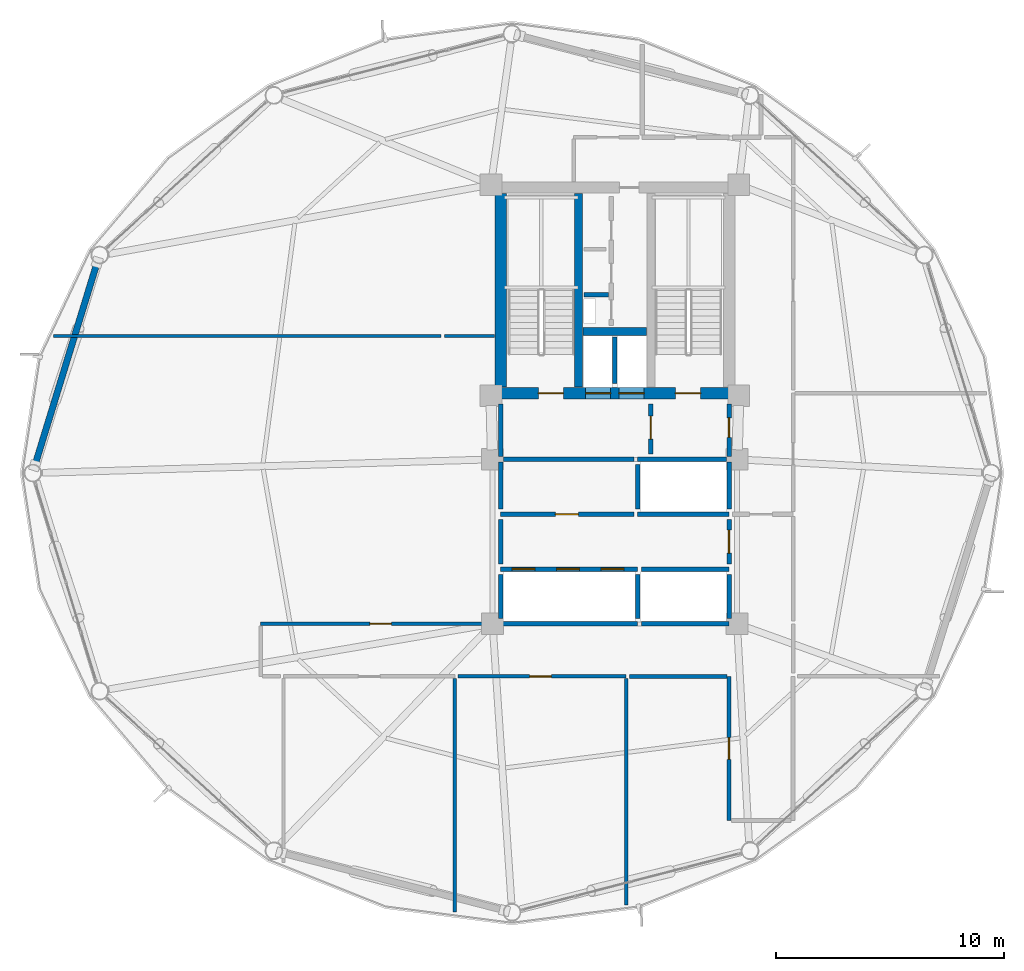
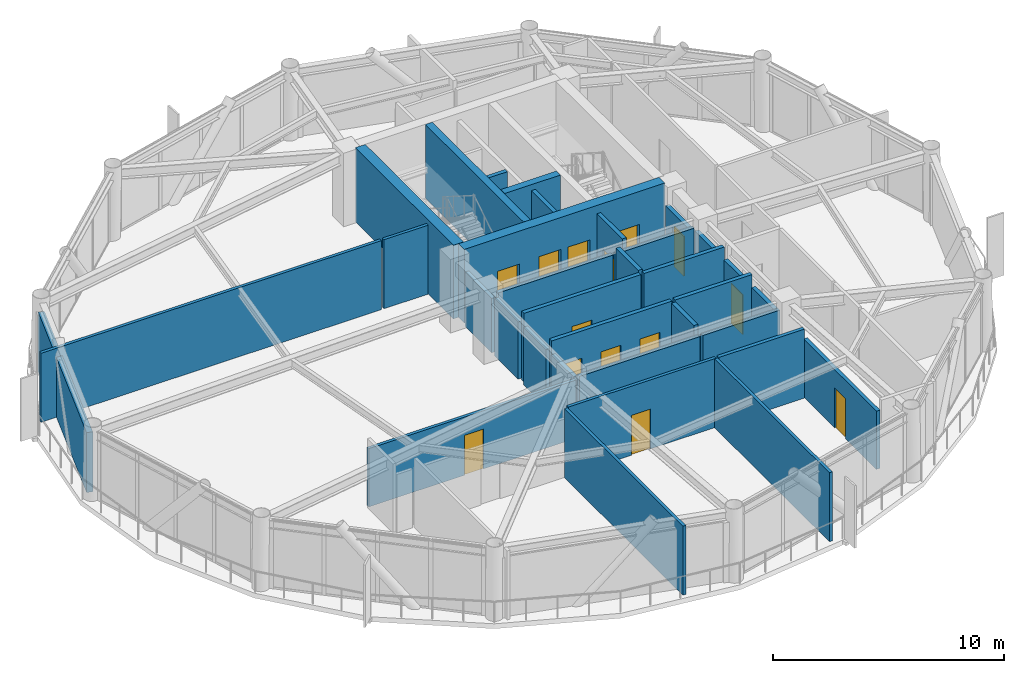
# One storey, part 21 of 26: 34 walls, 14 doors, 14 openings.
"""IFC4 building model written with IfcOpenShell, lengths in metres."""

from ifc_helpers import new_model, si_unit, direction, frame, frame_2d, origin, place, context, subcontext, project, spatial, rectangle, extrude, material, layer, layer_set, type_object, element, fill, save


model = new_model("IFC4")

# Units and contexts
model_context = context("Model", 3, precision=1e-05, world=origin(), true_north=direction((0.0, 1.0)))
body_context = subcontext(model_context, "Body", "Model", "MODEL_VIEW")
ifc_project = project(units=[si_unit("LENGTHUNIT", "METRE"), si_unit("AREAUNIT", "SQUARE_METRE"), si_unit("VOLUMEUNIT", "CUBIC_METRE"), si_unit("PLANEANGLEUNIT", "RADIAN"), si_unit("MASSUNIT", "GRAM", prefix="KILO")], contexts=[model_context])

# Site, building, storey
site_placement = place(None, origin())
site = spatial("IfcSite", under=ifc_project, at=site_placement, CompositionType="ELEMENT")
building_placement = place(site_placement, origin())
building = spatial("IfcBuilding", under=site, at=building_placement, Name="Varnakorn Sky Granary", CompositionType="ELEMENT")
storey_placement = place(building_placement, frame((0.0, 0.0, 138.300048828125)))
storey = spatial("IfcBuildingStorey", under=building, at=storey_placement, Name="L34", CompositionType="ELEMENT", Elevation=138.300048828125)

# Walls
ifc_material_1 = material(Name="Concrete C50/60", Category="concrete")
ifc_layer_1 = layer(ifc_material_1, 0.35009765625, Name="Concrete C50/60")
ifc_layer_set_1 = layer_set([ifc_layer_1], Name="Concrete C50/60")
wall_type_1 = type_object("IfcWallType", Name="WT-CW-INT-350", PredefinedType="SHEAR", material=ifc_layer_set_1)
wall_1_placement = place(storey_placement, frame((1.419921875, 3.760009765625, 0.0), z_axis=(0.0, 0.0, 1.0), x_axis=(0.0, 1.0, 0.0)))
element("IfcWall", 1, at=wall_1_placement, inside=storey, type_object=wall_type_1, Name="Stair ST-1 Core Wall L34", PredefinedType="SHEAR", context=body_context, shape_type="SweptSolid", body=[
    extrude(rectangle(XDim=8.47998046875, YDim=0.35009765625, at=frame_2d((4.239990234375, 0.0))), origin(), (0.0, 0.0, 1.0), 3.891845703125),
])
wall_2_placement = place(storey_placement, frame((1.610107421875, 6.199951171875, 0.0), z_axis=(0.0, 0.0, 1.0), x_axis=(1.0, 0.0, 0.0)))
element("IfcWall", 2, at=wall_2_placement, inside=storey, type_object=wall_type_1, Name="Core Lift Shaft Cross Wall L34", PredefinedType="SHEAR", context=body_context, shape_type="SweptSolid", body=[
    extrude(rectangle(XDim=2.77978515625, YDim=0.35009765625, at=frame_2d((1.389892578125, 0.0))), origin(), (0.0, 0.0, 1.0), 3.891845703125),
])

# Wall, openings, doors
ifc_material_2 = material(Name="Concrete C60/75", Category="concrete")
ifc_layer_2 = layer(ifc_material_2, 0.5, Name="Concrete C60/75")
ifc_layer_set_2 = layer_set([ifc_layer_2], Name="Concrete C60/75")
wall_type_2 = type_object("IfcWallType", Name="WT-CW-SHEAR-500", PredefinedType="SHEAR", material=ifc_layer_set_2)
wall_3_placement = place(storey_placement, frame((-2.0, 3.5, 0.0), z_axis=(0.0, 0.0, 1.0), x_axis=(1.0, 0.0, 0.0)))
wall_3 = element("IfcWall", 3, at=wall_3_placement, inside=storey, type_object=wall_type_2, Name="Core South Shear Wall L34", PredefinedType="SHEAR", context=body_context, shape_type="SweptSolid", body=[
    extrude(rectangle(XDim=10.0, YDim=0.5, at=frame_2d((5.0, 0.0))), origin(), (0.0, 0.0, 1.0), 3.891845703125),
])
opening_1_placement = place(wall_3_placement, frame((1.64990234375, 0.0, 0.0)))
opening_1 = element("IfcOpeningElement", 4, at=opening_1_placement, cuts=wall_3, Name="Opening FD-90", PredefinedType="OPENING", context=body_context, shape_type="SweptSolid", body=[
    extrude(rectangle(XDim=1.10009765625, YDim=2.14990234375, at=frame_2d((0.550048828125, 1.074951171875))), frame((0.0, 0.260009765625, 0.0), z_axis=(0.0, -1.0, 0.0), x_axis=(1.0, 0.0, 0.0)), (0.0, 0.0, 1.0), 0.52001953125),
])
opening_2_placement = place(wall_3_placement, frame((7.64990234375, 0.0, 0.0)))
opening_2 = element("IfcOpeningElement", 5, at=opening_2_placement, cuts=wall_3, Name="Opening FD-90", PredefinedType="OPENING", context=body_context, shape_type="SweptSolid", body=[
    extrude(rectangle(XDim=1.10009765625, YDim=2.14990234375, at=frame_2d((0.550048828125, 1.074951171875))), frame((0.0, 0.260009765625, 0.0), z_axis=(0.0, -1.0, 0.0), x_axis=(1.0, 0.0, 0.0)), (0.0, 0.0, 1.0), 0.52001953125),
])
opening_3_placement = place(wall_3_placement, frame((3.719970703125, 0.0, 0.0)))
opening_3 = element("IfcOpeningElement", 6, at=opening_3_placement, cuts=wall_3, Name="Opening LD-01", PredefinedType="OPENING", context=body_context, shape_type="SweptSolid", body=[
    extrude(rectangle(XDim=1.10009765625, YDim=2.199951171875, at=frame_2d((0.550048828125, 1.10009765625))), frame((0.0, 0.260009765625, 0.0), z_axis=(0.0, -1.0, 0.0), x_axis=(1.0, 0.0, 0.0)), (0.0, 0.0, 1.0), 0.52001953125),
])
opening_4_placement = place(wall_3_placement, frame((5.179931640625, 0.0, 0.0)))
opening_4 = element("IfcOpeningElement", 7, at=opening_4_placement, cuts=wall_3, Name="Opening LD-01", PredefinedType="OPENING", context=body_context, shape_type="SweptSolid", body=[
    extrude(rectangle(XDim=1.10009765625, YDim=2.199951171875, at=frame_2d((0.550048828125, 1.10009765625))), frame((0.0, 0.260009765625, 0.0), z_axis=(0.0, -1.0, 0.0), x_axis=(1.0, 0.0, 0.0)), (0.0, 0.0, 1.0), 0.52001953125),
])
ifc_material_3 = material(Name="Brushed Bronze Stainless Steel", Category="steel")
door_type_1 = type_object("IfcDoorType", Name="DR-LD-1100", OperationType="DOUBLE_DOOR_SLIDING", PredefinedType="DOOR", material=ifc_material_3)
door_1_placement = place(opening_3_placement, origin())
door_1 = element("IfcDoor", 8, at=door_1_placement, inside=storey, type_object=door_type_1, Name="Firefighting Lift FFL-1 Landing Door L34", OperationType="DOUBLE_DOOR_SLIDING", OverallHeight=2.199951171875, OverallWidth=1.10009765625, PredefinedType="DOOR", context=body_context, shape_type="SweptSolid", body=[
    extrude(rectangle(XDim=1.10009765625, YDim=2.199951171875, at=frame_2d((0.550048828125, 1.10009765625))), frame((0.0, 0.02490234375, 0.0), z_axis=(0.0, -1.0, 0.0), x_axis=(1.0, 0.0, 0.0)), (0.0, 0.0, 1.0), 0.050048828125),
])
fill(opening_3, door_1)
door_2_placement = place(opening_4_placement, origin())
door_2 = element("IfcDoor", 9, at=door_2_placement, inside=storey, type_object=door_type_1, Name="Firefighting Lift FFL-2 Landing Door L34", OperationType="DOUBLE_DOOR_SLIDING", OverallHeight=2.199951171875, OverallWidth=1.10009765625, PredefinedType="DOOR", context=body_context, shape_type="SweptSolid", body=[
    extrude(rectangle(XDim=1.10009765625, YDim=2.199951171875, at=frame_2d((0.550048828125, 1.10009765625))), frame((0.0, 0.02490234375, 0.0), z_axis=(0.0, -1.0, 0.0), x_axis=(1.0, 0.0, 0.0)), (0.0, 0.0, 1.0), 0.050048828125),
])
fill(opening_4, door_2)
ifc_material_4 = material(Name="Galvanised Painted Steel Leaf", Category="steel")
door_type_2 = type_object("IfcDoorType", Name="DR-STAIR-1100", OperationType="NOTDEFINED", PredefinedType="DOOR", material=ifc_material_4)
door_3_placement = place(opening_1_placement, origin())
door_3 = element("IfcDoor", 10, at=door_3_placement, inside=storey, type_object=door_type_2, Name="Stair ST-1 Protected Fire Door L34", OperationType="SINGLE_SWING_LEFT", OverallHeight=2.14990234375, OverallWidth=1.10009765625, PredefinedType="DOOR", context=body_context, shape_type="SweptSolid", body=[
    extrude(rectangle(XDim=1.10009765625, YDim=2.14990234375, at=frame_2d((0.550048828125, 1.074951171875))), frame((0.0, 0.02490234375, 0.0), z_axis=(0.0, -1.0, 0.0), x_axis=(1.0, 0.0, 0.0)), (0.0, 0.0, 1.0), 0.050048828125),
])
fill(opening_1, door_3)
door_4_placement = place(opening_2_placement, origin())
door_4 = element("IfcDoor", 11, at=door_4_placement, inside=storey, type_object=door_type_2, Name="Stair ST-2 Protected Fire Door L34", OperationType="SINGLE_SWING_RIGHT", OverallHeight=2.14990234375, OverallWidth=1.10009765625, PredefinedType="DOOR", context=body_context, shape_type="SweptSolid", body=[
    extrude(rectangle(XDim=1.10009765625, YDim=2.14990234375, at=frame_2d((0.550048828125, 1.074951171875))), frame((0.0, 0.02490234375, 0.0), z_axis=(0.0, -1.0, 0.0), x_axis=(1.0, 0.0, 0.0)), (0.0, 0.0, 1.0), 0.050048828125),
])
fill(opening_2, door_4)

# Walls
wall_4_placement = place(storey_placement, frame((-2.0, 3.760009765625, 0.0), z_axis=(0.0, 0.0, 1.0), x_axis=(0.0, 1.0, 0.0)))
element("IfcWall", 12, at=wall_4_placement, inside=storey, type_object=wall_type_2, Name="Core West Shear Wall L34", PredefinedType="SHEAR", context=body_context, shape_type="SweptSolid", body=[
    extrude(rectangle(XDim=8.47998046875, YDim=0.5, at=frame_2d((4.239990234375, 0.0))), origin(), (0.0, 0.0, 1.0), 3.891845703125),
])
ifc_material_5 = material(Name="Precast concrete C40/50", Category="concrete")
ifc_layer_3 = layer(ifc_material_5, 0.280029296875, Name="Precast concrete C40/50")
ifc_layer_set_3 = layer_set([ifc_layer_3], Name="Precast concrete C40/50")
wall_type_3 = type_object("IfcWallType", Name="WT-EW-CRN-280", PredefinedType="SOLIDWALL", material=ifc_layer_set_3)
wall_5_placement = place(storey_placement, frame((-22.384521484375, 0.3212890625, 0.0), z_axis=(0.0, 0.0, 1.0), x_axis=(0.293207205918, 0.956048918412, 0.0)))
element("IfcWall", 13, at=wall_5_placement, inside=storey, type_object=wall_type_3, Name="Agritech Insulated Precast Facade Wall L34-P06", PredefinedType="SOLIDWALL", context=body_context, shape_type="SweptSolid", body=[
    extrude(rectangle(XDim=9.31494140625, YDim=0.280029296875, at=frame_2d((4.657470703125, 0.0))), origin(), (0.0, 0.0, 1.0), 3.159912109375),
])

# Wall, opening, door
ifc_material_6 = material(Name="Autoclaved Aerated Concrete Blockwork", Category="masonry")
ifc_layer_4 = layer(ifc_material_6, 0.199951171875, Name="Autoclaved Aerated Concrete Blockwork")
ifc_layer_set_4 = layer_set([ifc_layer_4], Name="Autoclaved Aerated Concrete Blockwork")
wall_type_4 = type_object("IfcWallType", Name="WT-FIRE-200", PredefinedType="MOVABLE", material=ifc_layer_set_4)
wall_6_placement = place(storey_placement, frame((4.580078125, 0.830078125, 0.0), z_axis=(0.0, 0.0, 1.0), x_axis=(0.0, 1.0, 0.0)))
wall_6 = element("IfcWall", 14, at=wall_6_placement, inside=storey, type_object=wall_type_4, Name="Interior Partition Wall L34-015", PredefinedType="MOVABLE", context=body_context, shape_type="SweptSolid", body=[
    extrude(rectangle(XDim=2.18994140625, YDim=0.199951171875, at=frame_2d((1.094970703125, 0.0))), origin(), (0.0, 0.0, 1.0), 3.639892578125),
])
opening_5_placement = place(wall_6_placement, frame((0.659912109375, 0.0, 0.0)))
opening_5 = element("IfcOpeningElement", 15, at=opening_5_placement, cuts=wall_6, Name="Opening FD-60", PredefinedType="OPENING", context=body_context, shape_type="SweptSolid", body=[
    extrude(rectangle(XDim=1.0, YDim=2.10009765625, at=frame_2d((0.5, 1.050048828125))), frame((0.0, 0.10986328125, 0.0), z_axis=(0.0, -1.0, 0.0), x_axis=(1.0, 0.0, 0.0)), (0.0, 0.0, 1.0), 0.219970703125),
])
ifc_material_7 = material(Name="Acoustic Timber Fire Leaf", Category="wood")
door_type_3 = type_object("IfcDoorType", Name="DR-FD60-1000", OperationType="NOTDEFINED", PredefinedType="DOOR", material=ifc_material_7)
door_5_placement = place(opening_5_placement, origin())
door_5 = element("IfcDoor", 16, at=door_5_placement, inside=storey, type_object=door_type_3, Name="Interior Door L34-015-1", OperationType="SINGLE_SWING_RIGHT", OverallHeight=2.10009765625, OverallWidth=1.0, PredefinedType="DOOR", context=body_context, shape_type="SweptSolid", body=[
    extrude(rectangle(XDim=1.0, YDim=2.10009765625, at=frame_2d((0.5, 1.050048828125))), frame((0.0, 0.02490234375, 0.0), z_axis=(0.0, -1.0, 0.0), x_axis=(1.0, 0.0, 0.0)), (0.0, 0.0, 1.0), 0.050048828125),
])
fill(opening_5, door_5)

wall_7_placement = place(storey_placement, frame((8.0, 0.719970703125, 0.0), z_axis=(0.0, 0.0, 1.0), x_axis=(0.0, 1.0, 0.0)))
wall_7 = element("IfcWall", 17, at=wall_7_placement, inside=storey, type_object=wall_type_4, Name="Interior Partition Wall L34-016", PredefinedType="MOVABLE", context=body_context, shape_type="SweptSolid", body=[
    extrude(rectangle(XDim=2.300048828125, YDim=0.199951171875, at=frame_2d((1.14990234375, 0.0))), origin(), (0.0, 0.0, 1.0), 2.8720703125),
])
opening_6_placement = place(wall_7_placement, frame((0.844970703125, 0.0, 0.0)))
opening_6 = element("IfcOpeningElement", 18, at=opening_6_placement, cuts=wall_7, Name="Opening FD-60N", PredefinedType="OPENING", context=body_context, shape_type="SweptSolid", body=[
    extrude(rectangle(XDim=0.85009765625, YDim=2.10009765625, at=frame_2d((0.425048828125, 1.050048828125))), frame((0.0, 0.10986328125, 0.0), z_axis=(0.0, -1.0, 0.0), x_axis=(1.0, 0.0, 0.0)), (0.0, 0.0, 1.0), 0.219970703125),
])
door_type_4 = type_object("IfcDoorType", Name="DR-FD60-850", OperationType="NOTDEFINED", PredefinedType="DOOR", material=ifc_material_7)
door_6_placement = place(opening_6_placement, origin())
door_6 = element("IfcDoor", 19, at=door_6_placement, inside=storey, type_object=door_type_4, Name="Interior Door L34-016-1", OperationType="SINGLE_SWING_LEFT", OverallHeight=2.10009765625, OverallWidth=0.85009765625, PredefinedType="DOOR", context=body_context, shape_type="SweptSolid", body=[
    extrude(rectangle(XDim=0.85009765625, YDim=2.10009765625, at=frame_2d((0.425048828125, 1.050048828125))), frame((0.0, 0.02490234375, 0.0), z_axis=(0.0, -1.0, 0.0), x_axis=(1.0, 0.0, 0.0)), (0.0, 0.0, 1.0), 0.050048828125),
])
fill(opening_6, door_6)

wall_8_placement = place(storey_placement, frame((8.0, -3.969970703125, 0.0), z_axis=(0.0, 0.0, 1.0), x_axis=(0.0, 1.0, 0.0)))
wall_8 = element("IfcWall", 20, at=wall_8_placement, inside=storey, type_object=wall_type_4, Name="Interior Partition Wall L34-017", PredefinedType="MOVABLE", context=body_context, shape_type="SweptSolid", body=[
    extrude(rectangle(XDim=1.93994140625, YDim=0.199951171875, at=frame_2d((0.969970703125, 0.0))), origin(), (0.0, 0.0, 1.0), 3.072021484375),
])
opening_7_placement = place(wall_8_placement, frame((0.469970703125, 0.0, 0.0)))
opening_7 = element("IfcOpeningElement", 21, at=opening_7_placement, cuts=wall_8, Name="Opening FD-60", PredefinedType="OPENING", context=body_context, shape_type="SweptSolid", body=[
    extrude(rectangle(XDim=1.0, YDim=2.10009765625, at=frame_2d((0.5, 1.050048828125))), frame((0.0, 0.10986328125, 0.0), z_axis=(0.0, -1.0, 0.0), x_axis=(1.0, 0.0, 0.0)), (0.0, 0.0, 1.0), 0.219970703125),
])
door_7_placement = place(opening_7_placement, origin())
door_7 = element("IfcDoor", 22, at=door_7_placement, inside=storey, type_object=door_type_3, Name="Interior Door L34-017-1", OperationType="SINGLE_SWING_RIGHT", OverallHeight=2.10009765625, OverallWidth=1.0, PredefinedType="DOOR", context=body_context, shape_type="SweptSolid", body=[
    extrude(rectangle(XDim=1.0, YDim=2.10009765625, at=frame_2d((0.5, 1.050048828125))), frame((0.0, 0.02490234375, 0.0), z_axis=(0.0, -1.0, 0.0), x_axis=(1.0, 0.0, 0.0)), (0.0, 0.0, 1.0), 0.050048828125),
])
fill(opening_7, door_7)

wall_9_placement = place(storey_placement, frame((-2.0, -1.800048828125, 0.0), z_axis=(0.0, 0.0, 1.0), x_axis=(1.0, 0.0, 0.0)))
wall_9 = element("IfcWall", 23, at=wall_9_placement, inside=storey, type_object=wall_type_4, Name="Interior Partition Wall L34-018", PredefinedType="MOVABLE", context=body_context, shape_type="SweptSolid", body=[
    extrude(rectangle(XDim=5.840087890625, YDim=0.199951171875, at=frame_2d((2.919921875, 0.0))), origin(), (0.0, 0.0, 1.0), 3.639892578125),
])
opening_8_placement = place(wall_9_placement, frame((2.39990234375, 0.0, 0.0)))
opening_8 = element("IfcOpeningElement", 24, at=opening_8_placement, cuts=wall_9, Name="Opening FD-60", PredefinedType="OPENING", context=body_context, shape_type="SweptSolid", body=[
    extrude(rectangle(XDim=1.0, YDim=2.10009765625, at=frame_2d((0.5, 1.050048828125))), frame((0.0, 0.10986328125, 0.0), z_axis=(0.0, -1.0, 0.0), x_axis=(1.0, 0.0, 0.0)), (0.0, 0.0, 1.0), 0.219970703125),
])
door_8_placement = place(opening_8_placement, origin())
door_8 = element("IfcDoor", 25, at=door_8_placement, inside=storey, type_object=door_type_3, Name="Interior Door L34-018-1", OperationType="SINGLE_SWING_LEFT", OverallHeight=2.10009765625, OverallWidth=1.0, PredefinedType="DOOR", context=body_context, shape_type="SweptSolid", body=[
    extrude(rectangle(XDim=1.0, YDim=2.10009765625, at=frame_2d((0.5, 1.050048828125))), frame((0.0, 0.02490234375, 0.0), z_axis=(0.0, -1.0, 0.0), x_axis=(1.0, 0.0, 0.0)), (0.0, 0.0, 1.0), 0.050048828125),
])
fill(opening_8, door_8)

# Walls
wall_10_placement = place(storey_placement, frame((-1.8798828125, 0.60009765625, 0.0), z_axis=(0.0, 0.0, 1.0), x_axis=(1.0, 0.0, 0.0)))
element("IfcWall", 26, at=wall_10_placement, inside=storey, type_object=wall_type_4, Name="Interior Partition Wall L34-029", PredefinedType="MOVABLE", context=body_context, shape_type="SweptSolid", body=[
    extrude(rectangle(XDim=5.719970703125, YDim=0.199951171875, at=frame_2d((2.85986328125, 0.0))), origin(), (0.0, 0.0, 1.0), 3.221923828125),
])
wall_11_placement = place(storey_placement, frame((-2.0, 0.719970703125, 0.0), z_axis=(0.0, 0.0, 1.0), x_axis=(0.0, 1.0, 0.0)))
element("IfcWall", 27, at=wall_11_placement, inside=storey, type_object=wall_type_4, Name="Interior Partition Wall L34-030", PredefinedType="MOVABLE", context=body_context, shape_type="SweptSolid", body=[
    extrude(rectangle(XDim=2.300048828125, YDim=0.199951171875, at=frame_2d((1.14990234375, 0.0))), origin(), (0.0, 0.0, 1.0), 2.8720703125),
])
wall_12_placement = place(storey_placement, frame((-2.0, -3.969970703125, 0.0), z_axis=(0.0, 0.0, 1.0), x_axis=(0.0, 1.0, 0.0)))
element("IfcWall", 28, at=wall_12_placement, inside=storey, type_object=wall_type_4, Name="Interior Partition Wall L34-031", PredefinedType="MOVABLE", context=body_context, shape_type="SweptSolid", body=[
    extrude(rectangle(XDim=1.93994140625, YDim=0.199951171875, at=frame_2d((0.969970703125, 0.0))), origin(), (0.0, 0.0, 1.0), 3.02197265625),
])
wall_13_placement = place(storey_placement, frame((-2.0, -1.570068359375, 0.0), z_axis=(0.0, 0.0, 1.0), x_axis=(0.0, 1.0, 0.0)))
element("IfcWall", 29, at=wall_13_placement, inside=storey, type_object=wall_type_4, Name="Interior Partition Wall L34-032", PredefinedType="MOVABLE", context=body_context, shape_type="SweptSolid", body=[
    extrude(rectangle(XDim=2.050048828125, YDim=0.199951171875, at=frame_2d((1.02490234375, 0.0))), origin(), (0.0, 0.0, 1.0), 3.02197265625),
])

# Wall, opening, door
ifc_material_8 = material(Name="Gypsum Plasterboard on Steel Stud", Category="steel")
ifc_layer_5 = layer(ifc_material_8, 0.14990234375, Name="Gypsum Plasterboard on Steel Stud")
ifc_layer_set_5 = layer_set([ifc_layer_5], Name="Gypsum Plasterboard on Steel Stud")
wall_type_5 = type_object("IfcWallType", Name="WT-PART-150", PredefinedType="PARTITIONING", material=ifc_layer_set_5)
wall_14_placement = place(storey_placement, frame((-3.864990234375, -8.89990234375, 0.0), z_axis=(0.0, 0.0, 1.0), x_axis=(1.0, 0.0, 0.0)))
wall_14 = element("IfcWall", 30, at=wall_14_placement, inside=storey, type_object=wall_type_5, Name="Interior Partition Wall L34-022", PredefinedType="PARTITIONING", context=body_context, shape_type="SweptSolid", body=[
    extrude(rectangle(XDim=7.364990234375, YDim=0.14990234375, at=frame_2d((3.6826171875, 0.0))), origin(), (0.0, 0.0, 1.0), 3.639892578125),
])
opening_9_placement = place(wall_14_placement, frame((3.139892578125, 0.0, 0.0)))
opening_9 = element("IfcOpeningElement", 31, at=opening_9_placement, cuts=wall_14, Name="Opening ID-95", PredefinedType="OPENING", context=body_context, shape_type="SweptSolid", body=[
    extrude(rectangle(XDim=0.949951171875, YDim=2.10009765625, at=frame_2d((0.47509765625, 1.050048828125))), frame((0.0, 0.0849609375, 0.0), z_axis=(0.0, -1.0, 0.0), x_axis=(1.0, 0.0, 0.0)), (0.0, 0.0, 1.0), 0.169921875),
])
ifc_material_9 = material(Name="Solid-Core Teak Veneer Leaf", Category="timber")
door_type_5 = type_object("IfcDoorType", Name="DR-INT-950", OperationType="NOTDEFINED", PredefinedType="DOOR", material=ifc_material_9)
door_9_placement = place(opening_9_placement, origin())
door_9 = element("IfcDoor", 32, at=door_9_placement, inside=storey, type_object=door_type_5, Name="Interior Door L34-022-1", OperationType="SINGLE_SWING_LEFT", OverallHeight=2.10009765625, OverallWidth=0.949951171875, PredefinedType="DOOR", context=body_context, shape_type="SweptSolid", body=[
    extrude(rectangle(XDim=0.949951171875, YDim=2.10009765625, at=frame_2d((0.47509765625, 1.050048828125))), frame((0.0, 0.02490234375, 0.0), z_axis=(0.0, -1.0, 0.0), x_axis=(1.0, 0.0, 0.0)), (0.0, 0.0, 1.0), 0.050048828125),
])
fill(opening_9, door_9)

wall_15_placement = place(storey_placement, frame((-2.159912109375, -6.60009765625, 0.0), z_axis=(0.0, 0.0, 1.0), x_axis=(-1.0, 0.0, 0.0)))
wall_15 = element("IfcWall", 33, at=wall_15_placement, inside=storey, type_object=wall_type_5, Name="Interior Partition Wall L34-024", PredefinedType="PARTITIONING", context=body_context, shape_type="SweptSolid", body=[
    extrude(rectangle(XDim=10.340087890625, YDim=0.14990234375, at=frame_2d((5.169921875, 0.0))), origin(), (0.0, 0.0, 1.0), 3.072021484375),
])
opening_10_placement = place(wall_15_placement, frame((4.614990234375, 0.0, 0.0)))
opening_10 = element("IfcOpeningElement", 34, at=opening_10_placement, cuts=wall_15, Name="Opening ID-95", PredefinedType="OPENING", context=body_context, shape_type="SweptSolid", body=[
    extrude(rectangle(XDim=0.949951171875, YDim=2.10009765625, at=frame_2d((0.47509765625, 1.050048828125))), frame((0.0, 0.0849609375, 0.0), z_axis=(0.0, -1.0, 0.0), x_axis=(1.0, 0.0, 0.0)), (0.0, 0.0, 1.0), 0.169921875),
])
door_10_placement = place(opening_10_placement, origin())
door_10 = element("IfcDoor", 35, at=door_10_placement, inside=storey, type_object=door_type_5, Name="Interior Door L34-024-1", OperationType="SINGLE_SWING_LEFT", OverallHeight=2.10009765625, OverallWidth=0.949951171875, PredefinedType="DOOR", context=body_context, shape_type="SweptSolid", body=[
    extrude(rectangle(XDim=0.949951171875, YDim=2.10009765625, at=frame_2d((0.47509765625, 1.050048828125))), frame((0.0, 0.02490234375, 0.0), z_axis=(0.0, -1.0, 0.0), x_axis=(1.0, 0.0, 0.0)), (0.0, 0.0, 1.0), 0.050048828125),
])
fill(opening_10, door_10)

# Walls
wall_16_placement = place(storey_placement, frame((-4.0, -8.985107421875, 0.0), z_axis=(0.0, 0.0, 1.0), x_axis=(0.0, -1.0, 0.0)))
element("IfcWall", 36, at=wall_16_placement, inside=storey, type_object=wall_type_5, Name="Interior Partition Wall L34-034", PredefinedType="PARTITIONING", context=body_context, shape_type="SweptSolid", body=[
    extrude(rectangle(XDim=10.23388671875, YDim=0.14990234375, at=frame_2d((5.116943359375, 0.0))), origin(), (0.0, 0.0, 1.0), 3.639892578125),
])
wall_17_placement = place(storey_placement, frame((3.5, -8.985107421875, 0.0), z_axis=(0.0, 0.0, 1.0), x_axis=(0.0, -1.0, 0.0)))
element("IfcWall", 37, at=wall_17_placement, inside=storey, type_object=wall_type_5, Name="Interior Partition Wall L34-036", PredefinedType="PARTITIONING", context=body_context, shape_type="SweptSolid", body=[
    extrude(rectangle(XDim=9.910888671875, YDim=0.14990234375, at=frame_2d((4.95556640625, 0.0))), origin(), (0.0, 0.0, 1.0), 3.639892578125),
])
wall_18_placement = place(storey_placement, frame((-21.572998046875, 6.0, 0.0), z_axis=(0.0, 0.0, 1.0), x_axis=(1.0, 0.0, 0.0)))
element("IfcWall", 38, at=wall_18_placement, inside=storey, type_object=wall_type_5, Name="Interior Partition Wall L34-043", PredefinedType="PARTITIONING", context=body_context, shape_type="SweptSolid", body=[
    extrude(rectangle(XDim=16.972900390625, YDim=0.14990234375, at=frame_2d((8.486328125, 0.0))), origin(), (0.0, 0.0, 1.0), 3.639892578125),
])
wall_19_placement = place(storey_placement, frame((-4.465087890625, 6.0, 0.0), z_axis=(0.0, 0.0, 1.0), x_axis=(1.0, 0.0, 0.0)))
element("IfcWall", 39, at=wall_19_placement, inside=storey, type_object=wall_type_5, Name="Interior Partition Wall L34-044", PredefinedType="PARTITIONING", context=body_context, shape_type="SweptSolid", body=[
    extrude(rectangle(XDim=2.205078125, YDim=0.14990234375, at=frame_2d((1.1025390625, 0.0))), origin(), (0.0, 0.0, 1.0), 3.639892578125),
])

# Wall, opening, door
ifc_material_10 = material(Name="Moisture-Resistant Gypsum on Stud", Category="gypsum")
ifc_layer_6 = layer(ifc_material_10, 0.179931640625, Name="Moisture-Resistant Gypsum on Stud")
ifc_layer_set_6 = layer_set([ifc_layer_6], Name="Moisture-Resistant Gypsum on Stud")
wall_type_6 = type_object("IfcWallType", Name="WT-PLUMB-180", PredefinedType="PLUMBINGWALL", material=ifc_layer_set_6)
wall_20_placement = place(storey_placement, frame((8.0, -8.89990234375, 0.0), z_axis=(0.0, 0.0, 1.0), x_axis=(0.0, -1.0, 0.0)))
wall_20 = element("IfcWall", 40, at=wall_20_placement, inside=storey, type_object=wall_type_6, Name="Interior Partition Wall L34-023", PredefinedType="PLUMBINGWALL", context=body_context, shape_type="SweptSolid", body=[
    extrude(rectangle(XDim=6.300048828125, YDim=0.179931640625, at=frame_2d((3.14990234375, 0.0))), origin(), (0.0, 0.0, 1.0), 3.072021484375),
])
opening_11_placement = place(wall_20_placement, frame((2.675048828125, 0.0, 0.0)))
opening_11 = element("IfcOpeningElement", 41, at=opening_11_placement, cuts=wall_20, Name="Opening ID-95", PredefinedType="OPENING", context=body_context, shape_type="SweptSolid", body=[
    extrude(rectangle(XDim=0.949951171875, YDim=2.10009765625, at=frame_2d((0.47509765625, 1.050048828125))), frame((0.0, 0.10009765625, 0.0), z_axis=(0.0, -1.0, 0.0), x_axis=(1.0, 0.0, 0.0)), (0.0, 0.0, 1.0), 0.199951171875),
])
door_11_placement = place(opening_11_placement, origin())
door_11 = element("IfcDoor", 42, at=door_11_placement, inside=storey, type_object=door_type_5, Name="Interior Door L34-023-1", OperationType="SINGLE_SWING_RIGHT", OverallHeight=2.10009765625, OverallWidth=0.949951171875, PredefinedType="DOOR", context=body_context, shape_type="SweptSolid", body=[
    extrude(rectangle(XDim=0.949951171875, YDim=2.10009765625, at=frame_2d((0.47509765625, 1.050048828125))), frame((0.0, 0.02490234375, 0.0), z_axis=(0.0, -1.0, 0.0), x_axis=(1.0, 0.0, 0.0)), (0.0, 0.0, 1.0), 0.050048828125),
])
fill(opening_11, door_11)

# Walls
wall_21_placement = place(storey_placement, frame((3.635009765625, -8.89990234375, 0.0), z_axis=(0.0, 0.0, 1.0), x_axis=(1.0, 0.0, 0.0)))
element("IfcWall", 43, at=wall_21_placement, inside=storey, type_object=wall_type_6, Name="Interior Partition Wall L34-038", PredefinedType="PLUMBINGWALL", context=body_context, shape_type="SweptSolid", body=[
    extrude(rectangle(XDim=4.264892578125, YDim=0.179931640625, at=frame_2d((2.13232421875, 0.0))), origin(), (0.0, 0.0, 1.0), 3.639892578125),
])
ifc_layer_7 = layer(ifc_material_6, 0.199951171875, Name="Autoclaved Aerated Concrete Blockwork")
ifc_layer_set_7 = layer_set([ifc_layer_7], Name="Autoclaved Aerated Concrete Blockwork")
wall_type_7 = type_object("IfcWallType", Name="WT-SHAFT-200", PredefinedType="SOLIDWALL", material=ifc_layer_set_7)
wall_22_placement = place(storey_placement, frame((3.0, 3.919921875, 0.0), z_axis=(0.0, 0.0, 1.0), x_axis=(0.0, 1.0, 0.0)))
element("IfcWall", 44, at=wall_22_placement, inside=storey, type_object=wall_type_7, Name="Interior Partition Wall L34-001", PredefinedType="SOLIDWALL", context=body_context, shape_type="SweptSolid", body=[
    extrude(rectangle(XDim=2.030029296875, YDim=0.199951171875, at=frame_2d((1.01513671875, 0.0))), origin(), (0.0, 0.0, 1.0), 3.639892578125),
])
wall_23_placement = place(storey_placement, frame((1.64990234375, 7.800048828125, 0.0), z_axis=(0.0, 0.0, 1.0), x_axis=(1.0, 0.0, 0.0)))
element("IfcWall", 45, at=wall_23_placement, inside=storey, type_object=wall_type_7, Name="Interior Partition Wall L34-002", PredefinedType="SOLIDWALL", context=body_context, shape_type="SweptSolid", body=[
    extrude(rectangle(XDim=1.070068359375, YDim=0.199951171875, at=frame_2d((0.53515625, 0.0))), origin(), (0.0, 0.0, 1.0), 3.639892578125),
])
wall_24_placement = place(storey_placement, frame((4.0, 0.60009765625, 0.0), z_axis=(0.0, 0.0, 1.0), x_axis=(1.0, 0.0, 0.0)))
element("IfcWall", 46, at=wall_24_placement, inside=storey, type_object=wall_type_7, Name="Interior Partition Wall L34-003", PredefinedType="SOLIDWALL", context=body_context, shape_type="SweptSolid", body=[
    extrude(rectangle(XDim=3.8798828125, YDim=0.199951171875, at=frame_2d((1.93994140625, 0.0))), origin(), (0.0, 0.0, 1.0), 3.221923828125),
])
wall_25_placement = place(storey_placement, frame((4.0, -1.800048828125, 0.0), z_axis=(0.0, 0.0, 1.0), x_axis=(1.0, 0.0, 0.0)))
element("IfcWall", 47, at=wall_25_placement, inside=storey, type_object=wall_type_7, Name="Interior Partition Wall L34-004", PredefinedType="SOLIDWALL", context=body_context, shape_type="SweptSolid", body=[
    extrude(rectangle(XDim=4.0, YDim=0.199951171875, at=frame_2d((2.0, 0.0))), origin(), (0.0, 0.0, 1.0), 3.639892578125),
])
wall_26_placement = place(storey_placement, frame((4.0, -1.570068359375, 0.0), z_axis=(0.0, 0.0, 1.0), x_axis=(0.0, 1.0, 0.0)))
element("IfcWall", 48, at=wall_26_placement, inside=storey, type_object=wall_type_7, Name="Interior Partition Wall L34-005", PredefinedType="SOLIDWALL", context=body_context, shape_type="SweptSolid", body=[
    extrude(rectangle(XDim=1.940185546875, YDim=0.199951171875, at=frame_2d((0.97021484375, 0.0))), origin(), (0.0, 0.0, 1.0), 3.639892578125),
])
wall_27_placement = place(storey_placement, frame((8.0, -1.570068359375, 0.0), z_axis=(0.0, 0.0, 1.0), x_axis=(0.0, 1.0, 0.0)))
element("IfcWall", 49, at=wall_27_placement, inside=storey, type_object=wall_type_7, Name="Interior Partition Wall L34-006", PredefinedType="SOLIDWALL", context=body_context, shape_type="SweptSolid", body=[
    extrude(rectangle(XDim=2.050048828125, YDim=0.199951171875, at=frame_2d((1.02490234375, 0.0))), origin(), (0.0, 0.0, 1.0), 3.072021484375),
])

# Wall, openings, doors
wall_28_placement = place(storey_placement, frame((-2.0, -4.199951171875, 0.0), z_axis=(0.0, 0.0, 1.0), x_axis=(1.0, 0.0, 0.0)))
wall_28 = element("IfcWall", 50, at=wall_28_placement, inside=storey, type_object=wall_type_7, Name="Interior Partition Wall L34-007", PredefinedType="SOLIDWALL", context=body_context, shape_type="SweptSolid", body=[
    extrude(rectangle(XDim=6.0, YDim=0.199951171875, at=frame_2d((3.0, 0.0))), origin(), (0.0, 0.0, 1.0), 3.639892578125),
])
opening_12_placement = place(wall_28_placement, frame((0.5, 0.0, 0.0)))
opening_12 = element("IfcOpeningElement", 51, at=opening_12_placement, cuts=wall_28, Name="Opening LD-03", PredefinedType="OPENING", context=body_context, shape_type="SweptSolid", body=[
    extrude(rectangle(XDim=1.0, YDim=2.199951171875, at=frame_2d((0.5, 1.10009765625))), frame((0.0, 0.10986328125, 0.0), z_axis=(0.0, -1.0, 0.0), x_axis=(1.0, 0.0, 0.0)), (0.0, 0.0, 1.0), 0.219970703125),
])
opening_13_placement = place(wall_28_placement, frame((2.449951171875, 0.0, 0.0)))
opening_13 = element("IfcOpeningElement", 52, at=opening_13_placement, cuts=wall_28, Name="Opening LD-03", PredefinedType="OPENING", context=body_context, shape_type="SweptSolid", body=[
    extrude(rectangle(XDim=1.0, YDim=2.199951171875, at=frame_2d((0.5, 1.10009765625))), frame((0.0, 0.10986328125, 0.0), z_axis=(0.0, -1.0, 0.0), x_axis=(1.0, 0.0, 0.0)), (0.0, 0.0, 1.0), 0.219970703125),
])
opening_14_placement = place(wall_28_placement, frame((4.39990234375, 0.0, 0.0)))
opening_14 = element("IfcOpeningElement", 53, at=opening_14_placement, cuts=wall_28, Name="Opening LD-03", PredefinedType="OPENING", context=body_context, shape_type="SweptSolid", body=[
    extrude(rectangle(XDim=1.0, YDim=2.199951171875, at=frame_2d((0.5, 1.10009765625))), frame((0.0, 0.10986328125, 0.0), z_axis=(0.0, -1.0, 0.0), x_axis=(1.0, 0.0, 0.0)), (0.0, 0.0, 1.0), 0.219970703125),
])
door_type_6 = type_object("IfcDoorType", Name="DR-LD-1000", OperationType="DOUBLE_DOOR_SLIDING", PredefinedType="DOOR", material=ifc_material_3)
door_12_placement = place(opening_12_placement, origin())
door_12 = element("IfcDoor", 54, at=door_12_placement, inside=storey, type_object=door_type_6, Name="Passenger Lift PL-M1 Sliding Landing Door L34", OperationType="DOUBLE_DOOR_SLIDING", OverallHeight=2.199951171875, OverallWidth=1.0, PredefinedType="DOOR", context=body_context, shape_type="SweptSolid", body=[
    extrude(rectangle(XDim=1.0, YDim=2.199951171875, at=frame_2d((0.5, 1.10009765625))), frame((0.0, 0.02490234375, 0.0), z_axis=(0.0, -1.0, 0.0), x_axis=(1.0, 0.0, 0.0)), (0.0, 0.0, 1.0), 0.050048828125),
])
fill(opening_12, door_12)
door_13_placement = place(opening_13_placement, origin())
door_13 = element("IfcDoor", 55, at=door_13_placement, inside=storey, type_object=door_type_6, Name="Passenger Lift PL-M2 Sliding Landing Door L34", OperationType="DOUBLE_DOOR_SLIDING", OverallHeight=2.199951171875, OverallWidth=1.0, PredefinedType="DOOR", context=body_context, shape_type="SweptSolid", body=[
    extrude(rectangle(XDim=1.0, YDim=2.199951171875, at=frame_2d((0.5, 1.10009765625))), frame((0.0, 0.02490234375, 0.0), z_axis=(0.0, -1.0, 0.0), x_axis=(1.0, 0.0, 0.0)), (0.0, 0.0, 1.0), 0.050048828125),
])
fill(opening_13, door_13)
door_14_placement = place(opening_14_placement, origin())
door_14 = element("IfcDoor", 56, at=door_14_placement, inside=storey, type_object=door_type_6, Name="Passenger Lift PL-M3 Sliding Landing Door L34", OperationType="DOUBLE_DOOR_SLIDING", OverallHeight=2.199951171875, OverallWidth=1.0, PredefinedType="DOOR", context=body_context, shape_type="SweptSolid", body=[
    extrude(rectangle(XDim=1.0, YDim=2.199951171875, at=frame_2d((0.5, 1.10009765625))), frame((0.0, 0.02490234375, 0.0), z_axis=(0.0, -1.0, 0.0), x_axis=(1.0, 0.0, 0.0)), (0.0, 0.0, 1.0), 0.050048828125),
])
fill(opening_14, door_14)

# Walls
wall_29_placement = place(storey_placement, frame((-2.0, -6.60009765625, 0.0), z_axis=(0.0, 0.0, 1.0), x_axis=(1.0, 0.0, 0.0)))
element("IfcWall", 57, at=wall_29_placement, inside=storey, type_object=wall_type_7, Name="Interior Partition Wall L34-008", PredefinedType="SOLIDWALL", context=body_context, shape_type="SweptSolid", body=[
    extrude(rectangle(XDim=6.0, YDim=0.199951171875, at=frame_2d((3.0, 0.0))), origin(), (0.0, 0.0, 1.0), 3.221923828125),
])
wall_30_placement = place(storey_placement, frame((-2.0, -6.3701171875, 0.0), z_axis=(0.0, 0.0, 1.0), x_axis=(0.0, 1.0, 0.0)))
element("IfcWall", 58, at=wall_30_placement, inside=storey, type_object=wall_type_7, Name="Interior Partition Wall L34-009", PredefinedType="SOLIDWALL", context=body_context, shape_type="SweptSolid", body=[
    extrude(rectangle(XDim=1.940185546875, YDim=0.199951171875, at=frame_2d((0.97021484375, 0.0))), origin(), (0.0, 0.0, 1.0), 3.02197265625),
])
wall_31_placement = place(storey_placement, frame((4.159912109375, -4.199951171875, 0.0), z_axis=(0.0, 0.0, 1.0), x_axis=(1.0, 0.0, 0.0)))
element("IfcWall", 59, at=wall_31_placement, inside=storey, type_object=wall_type_7, Name="Interior Partition Wall L34-010", PredefinedType="SOLIDWALL", context=body_context, shape_type="SweptSolid", body=[
    extrude(rectangle(XDim=3.840087890625, YDim=0.199951171875, at=frame_2d((1.919921875, 0.0))), origin(), (0.0, 0.0, 1.0), 3.639892578125),
])
wall_32_placement = place(storey_placement, frame((4.159912109375, -6.60009765625, 0.0), z_axis=(0.0, 0.0, 1.0), x_axis=(1.0, 0.0, 0.0)))
element("IfcWall", 60, at=wall_32_placement, inside=storey, type_object=wall_type_7, Name="Interior Partition Wall L34-011", PredefinedType="SOLIDWALL", context=body_context, shape_type="SweptSolid", body=[
    extrude(rectangle(XDim=3.840087890625, YDim=0.199951171875, at=frame_2d((1.919921875, 0.0))), origin(), (0.0, 0.0, 1.0), 3.221923828125),
])
wall_33_placement = place(storey_placement, frame((4.0, -6.3701171875, 0.0), z_axis=(0.0, 0.0, 1.0), x_axis=(0.0, 1.0, 0.0)))
element("IfcWall", 61, at=wall_33_placement, inside=storey, type_object=wall_type_7, Name="Interior Partition Wall L34-012", PredefinedType="SOLIDWALL", context=body_context, shape_type="SweptSolid", body=[
    extrude(rectangle(XDim=1.940185546875, YDim=0.199951171875, at=frame_2d((0.97021484375, 0.0))), origin(), (0.0, 0.0, 1.0), 3.639892578125),
])
wall_34_placement = place(storey_placement, frame((8.0, -6.3701171875, 0.0), z_axis=(0.0, 0.0, 1.0), x_axis=(0.0, 1.0, 0.0)))
element("IfcWall", 62, at=wall_34_placement, inside=storey, type_object=wall_type_7, Name="Interior Partition Wall L34-013", PredefinedType="SOLIDWALL", context=body_context, shape_type="SweptSolid", body=[
    extrude(rectangle(XDim=1.940185546875, YDim=0.199951171875, at=frame_2d((0.97021484375, 0.0))), origin(), (0.0, 0.0, 1.0), 3.072021484375),
])

save(model, "model.ifc")
